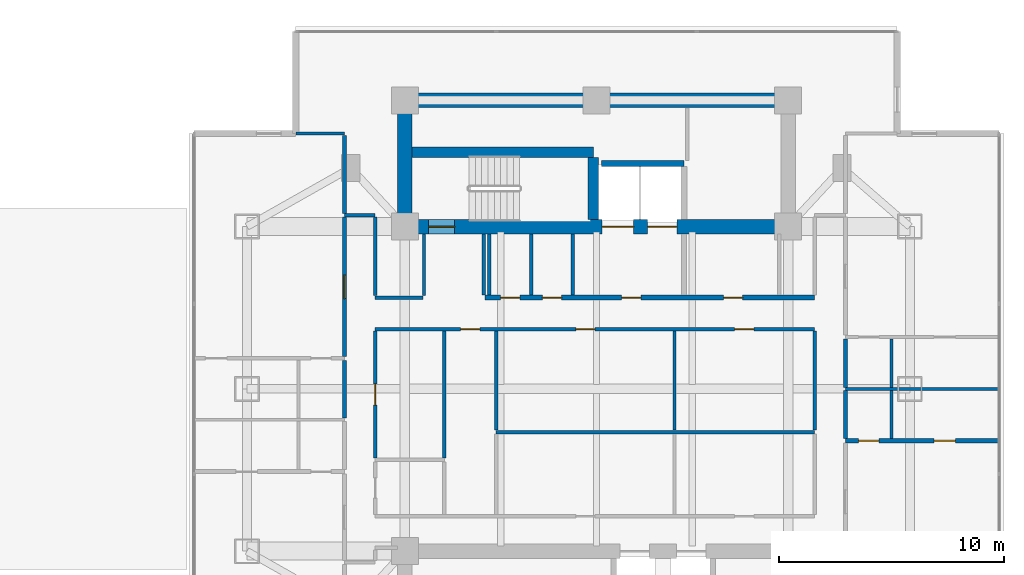
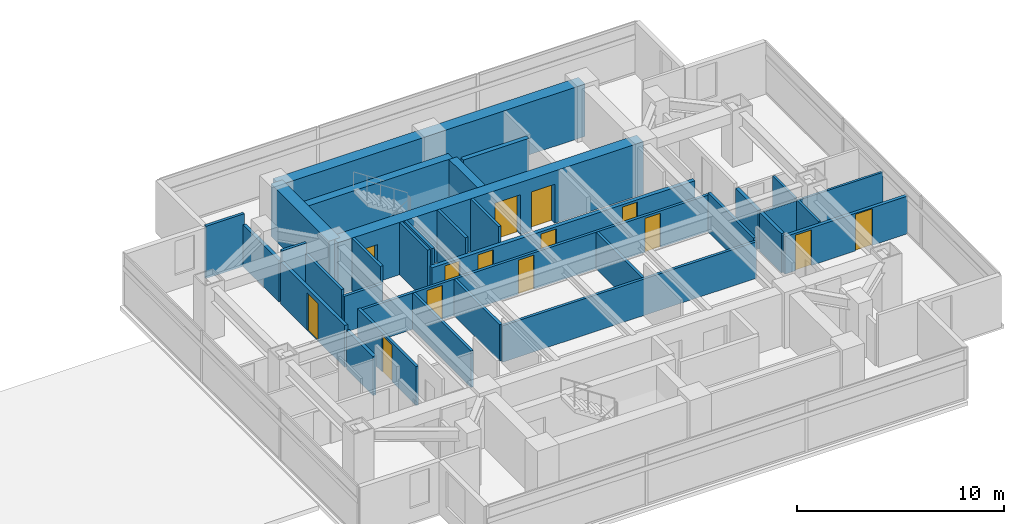
# One storey, part 18 of 26: 32 walls, 14 doors, 14 openings.
"""IFC4 building model written with IfcOpenShell, lengths in metres."""

from ifc_helpers import new_model, si_unit, direction, frame, frame_2d, origin, place, context, subcontext, project, spatial, rectangle, extrude, material, layer, layer_set, type_object, element, fill, save


model = new_model("IFC4")

# Units and contexts
model_context = context("Model", 3, precision=1e-05, world=origin(), true_north=direction((0.0, 1.0)))
body_context = subcontext(model_context, "Body", "Model", "MODEL_VIEW")
ifc_project = project(units=[si_unit("LENGTHUNIT", "METRE"), si_unit("AREAUNIT", "SQUARE_METRE"), si_unit("VOLUMEUNIT", "CUBIC_METRE"), si_unit("PLANEANGLEUNIT", "RADIAN"), si_unit("MASSUNIT", "GRAM", prefix="KILO")], contexts=[model_context])

# Site, building, storey
site_placement = place(None, origin())
site = spatial("IfcSite", under=ifc_project, at=site_placement, CompositionType="ELEMENT")
building_placement = place(site_placement, origin())
building = spatial("IfcBuilding", under=site, at=building_placement, Name="Mirazonda Arch Towers", CompositionType="ELEMENT")
storey_placement = place(building_placement, frame((0.0, 0.0, 98.300048828125)))
storey = spatial("IfcBuildingStorey", under=building, at=storey_placement, Name="L27", CompositionType="ELEMENT", Elevation=98.300048828125)

# Walls
ifc_material_1 = material(Name="Concrete C50/60", Category="concrete")
ifc_layer_1 = layer(ifc_material_1, 0.449951171875, Name="WALL-CORE-450")
ifc_layer_set_1 = layer_set([ifc_layer_1], Name="Concrete C50/60")
wall_type_1 = type_object("IfcWallType", Name="WALL-CORE-450", PredefinedType="SHEAR", material=ifc_layer_set_1)
wall_1_placement = place(storey_placement, frame((68.320068359375, 38.5, 0.0), z_axis=(0.0, 0.0, 1.0), x_axis=(1.0, 0.0, 0.0)))
element("IfcWall", 1, at=wall_1_placement, inside=storey, type_object=wall_type_1, Name="L27 Stair Core Shear Wall 059", PredefinedType="SHEAR", context=body_context, shape_type="SweptSolid", body=[
    extrude(rectangle(XDim=8.0400390625, YDim=0.449951171875, at=frame_2d((4.02001953125, 0.0))), origin(), (0.0, 0.0, 1.0), 3.079833984375),
])
wall_2_placement = place(storey_placement, frame((76.360107421875, 35.52001953125, 0.0), z_axis=(0.0, 0.0, 1.0), x_axis=(0.0, 1.0, 0.0)))
element("IfcWall", 2, at=wall_2_placement, inside=storey, type_object=wall_type_1, Name="L27 Stair Core Shear Wall 156", PredefinedType="SHEAR", context=body_context, shape_type="SweptSolid", body=[
    extrude(rectangle(XDim=2.744873046875, YDim=0.449951171875, at=frame_2d((1.37255859375, 0.0))), origin(), (0.0, 0.0, 1.0), 3.079833984375),
])
ifc_material_2 = material(Name="Concrete C60/75", Category="concrete")
ifc_layer_2 = layer(ifc_material_2, 0.64990234375, Name="WALL-CORE-650")
ifc_layer_set_2 = layer_set([ifc_layer_2], Name="Concrete C60/75")
wall_type_2 = type_object("IfcWallType", Name="WALL-CORE-650", PredefinedType="SHEAR", material=ifc_layer_set_2)
wall_3_placement = place(storey_placement, frame((68.0, 40.800048828125, 0.0), z_axis=(0.0, 0.0, 1.0), x_axis=(1.0, 0.0, 0.0)))
element("IfcWall", 3, at=wall_3_placement, inside=storey, type_object=wall_type_2, Name="L27 T2N-N Core Shear Wall", PredefinedType="SHEAR", context=body_context, shape_type="SweptSolid", body=[
    extrude(rectangle(XDim=17.0, YDim=0.64990234375, at=frame_2d((8.5, 0.0))), origin(), (0.0, 0.0, 1.0), 3.079833984375),
])
wall_4_placement = place(storey_placement, frame((68.0, 35.199951171875, 0.0), z_axis=(0.0, 0.0, 1.0), x_axis=(0.0, 1.0, 0.0)))
element("IfcWall", 4, at=wall_4_placement, inside=storey, type_object=wall_type_2, Name="L27 T2N-W Core Shear Wall", PredefinedType="SHEAR", context=body_context, shape_type="SweptSolid", body=[
    extrude(rectangle(XDim=5.60009765625, YDim=0.64990234375, at=frame_2d((2.800048828125, 0.0))), origin(), (0.0, 0.0, 1.0), 3.079833984375),
])

# Wall, openings, doors
wall_5_placement = place(storey_placement, frame((68.0, 35.199951171875, 0.0), z_axis=(0.0, 0.0, 1.0), x_axis=(1.0, 0.0, 0.0)))
wall_5 = element("IfcWall", 5, at=wall_5_placement, inside=storey, type_object=wall_type_2, Name="L27 T2N-S Core Shear Wall", PredefinedType="SHEAR", context=body_context, shape_type="SweptSolid", body=[
    extrude(rectangle(XDim=17.0, YDim=0.64990234375, at=frame_2d((8.5, 0.0))), origin(), (0.0, 0.0, 1.0), 3.079833984375),
])
opening_1_placement = place(wall_5_placement, frame((1.06005859375, 0.0, 0.0)))
opening_1 = element("IfcOpeningElement", 6, at=opening_1_placement, cuts=wall_5, Name="Opening DR-135", PredefinedType="OPENING", context=body_context, shape_type="SweptSolid", body=[
    extrude(rectangle(XDim=1.14990234375, YDim=2.199951171875, at=frame_2d((0.574951171875, 1.10009765625))), frame((0.0, 0.3349609375, 0.0), z_axis=(0.0, -1.0, 0.0), x_axis=(1.0, 0.0, 0.0)), (0.0, 0.0, 1.0), 0.669921875),
])
opening_2_placement = place(wall_5_placement, frame((8.75, 0.0, 0.0)))
opening_2 = element("IfcOpeningElement", 7, at=opening_2_placement, cuts=wall_5, Name="Opening LD-112", PredefinedType="OPENING", context=body_context, shape_type="SweptSolid", body=[
    extrude(rectangle(XDim=1.39990234375, YDim=2.35009765625, at=frame_2d((0.699951171875, 1.175048828125))), frame((0.0, 0.3349609375, 0.0), z_axis=(0.0, -1.0, 0.0), x_axis=(1.0, 0.0, 0.0)), (0.0, 0.0, 1.0), 0.669921875),
])
opening_3_placement = place(wall_5_placement, frame((10.77001953125, 0.0, 0.0)))
opening_3 = element("IfcOpeningElement", 8, at=opening_3_placement, cuts=wall_5, Name="Opening LD-111", PredefinedType="OPENING", context=body_context, shape_type="SweptSolid", body=[
    extrude(rectangle(XDim=1.300048828125, YDim=2.300048828125, at=frame_2d((0.64990234375, 1.14990234375))), frame((0.0, 0.3349609375, 0.0), z_axis=(0.0, -1.0, 0.0), x_axis=(1.0, 0.0, 0.0)), (0.0, 0.0, 1.0), 0.669921875),
])
ifc_material_3 = material(Name="Architectural Brushed Steel S355", Category="steel")
door_type_1 = type_object("IfcDoorType", Name="DOOR-LIFT-FFL-1400", OperationType="NOTDEFINED", PredefinedType="DOOR", material=ifc_material_3)
door_1_placement = place(opening_2_placement, origin())
door_1 = element("IfcDoor", 9, at=door_1_placement, inside=storey, type_object=door_type_1, Name="L27 Lift Landing Sliding Door FFL-T2", OperationType="DOUBLE_DOOR_SLIDING", OverallHeight=2.35009765625, OverallWidth=1.39990234375, PredefinedType="DOOR", context=body_context, shape_type="SweptSolid", body=[
    extrude(rectangle(XDim=1.39990234375, YDim=2.35009765625, at=frame_2d((0.699951171875, 1.175048828125))), frame((0.0, 0.02490234375, 0.0), z_axis=(0.0, -1.0, 0.0), x_axis=(1.0, 0.0, 0.0)), (0.0, 0.0, 1.0), 0.050048828125),
])
fill(opening_2, door_1)
door_type_2 = type_object("IfcDoorType", Name="DOOR-LIFT-LAND-1300", OperationType="NOTDEFINED", PredefinedType="DOOR", material=ifc_material_3)
door_2_placement = place(opening_3_placement, origin())
door_2 = element("IfcDoor", 10, at=door_2_placement, inside=storey, type_object=door_type_2, Name="L27 Lift Landing Sliding Door SVL-T2", OperationType="DOUBLE_DOOR_SLIDING", OverallHeight=2.300048828125, OverallWidth=1.300048828125, PredefinedType="DOOR", context=body_context, shape_type="SweptSolid", body=[
    extrude(rectangle(XDim=1.300048828125, YDim=2.300048828125, at=frame_2d((0.64990234375, 1.14990234375))), frame((0.0, 0.02490234375, 0.0), z_axis=(0.0, -1.0, 0.0), x_axis=(1.0, 0.0, 0.0)), (0.0, 0.0, 1.0), 0.050048828125),
])
fill(opening_3, door_2)
door_type_3 = type_object("IfcDoorType", Name="DOOR-STAIR-FD90-1150", OperationType="NOTDEFINED", PredefinedType="DOOR", material=ifc_material_3)
door_3_placement = place(opening_1_placement, origin())
door_3 = element("IfcDoor", 11, at=door_3_placement, inside=storey, type_object=door_type_3, Name="L27 East Protected Stair North Door", OperationType="SINGLE_SWING_RIGHT", OverallHeight=2.199951171875, OverallWidth=1.14990234375, PredefinedType="DOOR", context=body_context, shape_type="SweptSolid", body=[
    extrude(rectangle(XDim=1.14990234375, YDim=2.199951171875, at=frame_2d((0.574951171875, 1.10009765625))), frame((0.0, 0.02490234375, 0.0), z_axis=(0.0, -1.0, 0.0), x_axis=(1.0, 0.0, 0.0)), (0.0, 0.0, 1.0), 0.050048828125),
])
fill(opening_1, door_3)

ifc_material_4 = material(Name="Concrete C40/50", Category="concrete")
ifc_layer_3 = layer(ifc_material_4, 0.219970703125, Name="WALL-FFL-220")
ifc_layer_set_3 = layer_set([ifc_layer_3], Name="Concrete C40/50")
wall_type_3 = type_object("IfcWallType", Name="WALL-FFL-220", PredefinedType="SOLIDWALL", material=ifc_layer_set_3)
wall_6_placement = place(storey_placement, frame((71.550048828125, 32.050048828125, 0.0), z_axis=(0.0, 0.0, 1.0), x_axis=(1.0, 0.0, 0.0)))
wall_6 = element("IfcWall", 12, at=wall_6_placement, inside=storey, type_object=wall_type_3, Name="L27 Interior Partition 047", PredefinedType="SOLIDWALL", context=body_context, shape_type="SweptSolid", body=[
    extrude(rectangle(XDim=14.6298828125, YDim=0.219970703125, at=frame_2d((7.31494140625, 0.0))), origin(), (0.0, 0.0, 1.0), 2.14501953125),
])
opening_4_placement = place(wall_6_placement, frame((6.06494140625, 0.0, 0.0)))
opening_4 = element("IfcOpeningElement", 13, at=opening_4_placement, cuts=wall_6, Name="Opening DR-128", PredefinedType="OPENING", context=body_context, shape_type="SweptSolid", body=[
    extrude(rectangle(XDim=0.85009765625, YDim=2.010009765625, at=frame_2d((0.425048828125, 1.0048828125))), frame((0.0, 0.119873046875, 0.0), z_axis=(0.0, -1.0, 0.0), x_axis=(1.0, 0.0, 0.0)), (0.0, 0.0, 1.0), 0.239990234375),
])
opening_5_placement = place(wall_6_placement, frame((10.5849609375, 0.0, 0.0)))
opening_5 = element("IfcOpeningElement", 14, at=opening_5_placement, cuts=wall_6, Name="Opening DR-128", PredefinedType="OPENING", context=body_context, shape_type="SweptSolid", body=[
    extrude(rectangle(XDim=0.85009765625, YDim=2.010009765625, at=frame_2d((0.425048828125, 1.0048828125))), frame((0.0, 0.119873046875, 0.0), z_axis=(0.0, -1.0, 0.0), x_axis=(1.0, 0.0, 0.0)), (0.0, 0.0, 1.0), 0.239990234375),
])
opening_6_placement = place(wall_6_placement, frame((0.699951171875, 0.0, 0.0)))
opening_6 = element("IfcOpeningElement", 15, at=opening_6_placement, cuts=wall_6, Name="Opening DR-128", PredefinedType="OPENING", context=body_context, shape_type="SweptSolid", body=[
    extrude(rectangle(XDim=0.85009765625, YDim=2.010009765625, at=frame_2d((0.425048828125, 1.0048828125))), frame((0.0, 0.119873046875, 0.0), z_axis=(0.0, -1.0, 0.0), x_axis=(1.0, 0.0, 0.0)), (0.0, 0.0, 1.0), 0.239990234375),
])
opening_7_placement = place(wall_6_placement, frame((2.550048828125, 0.0, 0.0)))
opening_7 = element("IfcOpeningElement", 16, at=opening_7_placement, cuts=wall_6, Name="Opening DR-128", PredefinedType="OPENING", context=body_context, shape_type="SweptSolid", body=[
    extrude(rectangle(XDim=0.85009765625, YDim=2.010009765625, at=frame_2d((0.425048828125, 1.0048828125))), frame((0.0, 0.119873046875, 0.0), z_axis=(0.0, -1.0, 0.0), x_axis=(1.0, 0.0, 0.0)), (0.0, 0.0, 1.0), 0.239990234375),
])
door_type_4 = type_object("IfcDoorType", Name="DOOR-RISER-FD60-850", OperationType="NOTDEFINED", PredefinedType="DOOR", material=ifc_material_3)
door_4_placement = place(opening_4_placement, origin())
door_4 = element("IfcDoor", 17, at=door_4_placement, inside=storey, type_object=door_type_4, Name="L27 East Firefighting Lift Lobby Door", OperationType="SINGLE_SWING_LEFT", OverallHeight=2.010009765625, OverallWidth=0.85009765625, PredefinedType="DOOR", context=body_context, shape_type="SweptSolid", body=[
    extrude(rectangle(XDim=0.85009765625, YDim=2.010009765625, at=frame_2d((0.425048828125, 1.0048828125))), frame((0.0, 0.02490234375, 0.0), z_axis=(0.0, -1.0, 0.0), x_axis=(1.0, 0.0, 0.0)), (0.0, 0.0, 1.0), 0.050048828125),
])
fill(opening_4, door_4)
door_5_placement = place(opening_5_placement, origin())
door_5 = element("IfcDoor", 18, at=door_5_placement, inside=storey, type_object=door_type_4, Name="L27 East Sky Reading Library Door", OperationType="SINGLE_SWING_RIGHT", OverallHeight=2.010009765625, OverallWidth=0.85009765625, PredefinedType="DOOR", context=body_context, shape_type="SweptSolid", body=[
    extrude(rectangle(XDim=0.85009765625, YDim=2.010009765625, at=frame_2d((0.425048828125, 1.0048828125))), frame((0.0, 0.02490234375, 0.0), z_axis=(0.0, -1.0, 0.0), x_axis=(1.0, 0.0, 0.0)), (0.0, 0.0, 1.0), 0.050048828125),
])
fill(opening_5, door_5)
door_6_placement = place(opening_6_placement, origin())
door_6 = element("IfcDoor", 19, at=door_6_placement, inside=storey, type_object=door_type_4, Name="L27 Tower 2 Electrical Room Door", OperationType="SINGLE_SWING_LEFT", OverallHeight=2.010009765625, OverallWidth=0.85009765625, PredefinedType="DOOR", context=body_context, shape_type="SweptSolid", body=[
    extrude(rectangle(XDim=0.85009765625, YDim=2.010009765625, at=frame_2d((0.425048828125, 1.0048828125))), frame((0.0, 0.02490234375, 0.0), z_axis=(0.0, -1.0, 0.0), x_axis=(1.0, 0.0, 0.0)), (0.0, 0.0, 1.0), 0.050048828125),
])
fill(opening_6, door_6)
door_7_placement = place(opening_7_placement, origin())
door_7 = element("IfcDoor", 20, at=door_7_placement, inside=storey, type_object=door_type_4, Name="L27 Tower 2 Cleaners Store Door", OperationType="SINGLE_SWING_RIGHT", OverallHeight=2.010009765625, OverallWidth=0.85009765625, PredefinedType="DOOR", context=body_context, shape_type="SweptSolid", body=[
    extrude(rectangle(XDim=0.85009765625, YDim=2.010009765625, at=frame_2d((0.425048828125, 1.0048828125))), frame((0.0, 0.02490234375, 0.0), z_axis=(0.0, -1.0, 0.0), x_axis=(1.0, 0.0, 0.0)), (0.0, 0.0, 1.0), 0.050048828125),
])
fill(opening_7, door_7)

# Wall
ifc_material_5 = material(Name="Fire-Rated Gypsum Stud Partition")
ifc_layer_4 = layer(ifc_material_5, 0.14990234375, Name="WALL-PART-CORR-150")
ifc_layer_set_4 = layer_set([ifc_layer_4], Name="Fire-Rated Gypsum Stud Partition")
wall_type_4 = type_object("IfcWallType", Name="WALL-PART-CORR-150", PredefinedType="PARTITIONING", material=ifc_layer_set_4)
wall_7_placement = place(storey_placement, frame((72.050048828125, 26.0849609375, 0.0), z_axis=(0.0, 0.0, 1.0), x_axis=(1.0, 0.0, 0.0)))
element("IfcWall", 21, at=wall_7_placement, inside=storey, type_object=wall_type_4, Name="L27 Interior Partition 034", PredefinedType="PARTITIONING", context=body_context, shape_type="SweptSolid", body=[
    extrude(rectangle(XDim=14.1298828125, YDim=0.14990234375, at=frame_2d((7.06494140625, 0.0))), origin(), (0.0, 0.0, 1.0), 2.14501953125),
])

# Wall, openings, doors
wall_8_placement = place(storey_placement, frame((66.679931640625, 30.64990234375, 0.0), z_axis=(0.0, 0.0, 1.0), x_axis=(1.0, 0.0, 0.0)))
wall_8 = element("IfcWall", 22, at=wall_8_placement, inside=storey, type_object=wall_type_4, Name="L27 Interior Partition 045", PredefinedType="PARTITIONING", context=body_context, shape_type="SweptSolid", body=[
    extrude(rectangle(XDim=19.5, YDim=0.14990234375, at=frame_2d((9.75, 0.0))), origin(), (0.0, 0.0, 1.0), 2.14501953125),
])
opening_8_placement = place(wall_8_placement, frame((3.794921875, 0.0, 0.0)))
opening_8 = element("IfcOpeningElement", 23, at=opening_8_placement, cuts=wall_8, Name="Opening DR-128", PredefinedType="OPENING", context=body_context, shape_type="SweptSolid", body=[
    extrude(rectangle(XDim=0.85009765625, YDim=2.010009765625, at=frame_2d((0.425048828125, 1.0048828125))), frame((0.0, 0.0849609375, 0.0), z_axis=(0.0, -1.0, 0.0), x_axis=(1.0, 0.0, 0.0)), (0.0, 0.0, 1.0), 0.169921875),
])
opening_9_placement = place(wall_8_placement, frame((8.901611328125, 0.0, 0.0)))
opening_9 = element("IfcOpeningElement", 24, at=opening_9_placement, cuts=wall_8, Name="Opening DR-128", PredefinedType="OPENING", context=body_context, shape_type="SweptSolid", body=[
    extrude(rectangle(XDim=0.85009765625, YDim=2.010009765625, at=frame_2d((0.425048828125, 1.0048828125))), frame((0.0, 0.0849609375, 0.0), z_axis=(0.0, -1.0, 0.0), x_axis=(1.0, 0.0, 0.0)), (0.0, 0.0, 1.0), 0.169921875),
])
opening_10_placement = place(wall_8_placement, frame((15.946533203125, 0.0, 0.0)))
opening_10 = element("IfcOpeningElement", 25, at=opening_10_placement, cuts=wall_8, Name="Opening DR-128", PredefinedType="OPENING", context=body_context, shape_type="SweptSolid", body=[
    extrude(rectangle(XDim=0.85009765625, YDim=2.010009765625, at=frame_2d((0.425048828125, 1.0048828125))), frame((0.0, 0.0849609375, 0.0), z_axis=(0.0, -1.0, 0.0), x_axis=(1.0, 0.0, 0.0)), (0.0, 0.0, 1.0), 0.169921875),
])
door_8_placement = place(opening_8_placement, origin())
door_8 = element("IfcDoor", 26, at=door_8_placement, inside=storey, type_object=door_type_4, Name="L27 L27 East Courtyard Study Door", OperationType="SINGLE_SWING_RIGHT", OverallHeight=2.010009765625, OverallWidth=0.85009765625, PredefinedType="DOOR", context=body_context, shape_type="SweptSolid", body=[
    extrude(rectangle(XDim=0.85009765625, YDim=2.010009765625, at=frame_2d((0.425048828125, 1.0048828125))), frame((0.0, 0.02490234375, 0.0), z_axis=(0.0, -1.0, 0.0), x_axis=(1.0, 0.0, 0.0)), (0.0, 0.0, 1.0), 0.050048828125),
])
fill(opening_8, door_8)
door_9_placement = place(opening_9_placement, origin())
door_9 = element("IfcDoor", 27, at=door_9_placement, inside=storey, type_object=door_type_4, Name="L27 Concierge Salon Door", OperationType="SINGLE_SWING_LEFT", OverallHeight=2.010009765625, OverallWidth=0.85009765625, PredefinedType="DOOR", context=body_context, shape_type="SweptSolid", body=[
    extrude(rectangle(XDim=0.85009765625, YDim=2.010009765625, at=frame_2d((0.425048828125, 1.0048828125))), frame((0.0, 0.02490234375, 0.0), z_axis=(0.0, -1.0, 0.0), x_axis=(1.0, 0.0, 0.0)), (0.0, 0.0, 1.0), 0.050048828125),
])
fill(opening_9, door_9)
door_10_placement = place(opening_10_placement, origin())
door_10 = element("IfcDoor", 28, at=door_10_placement, inside=storey, type_object=door_type_4, Name="L27 Private Meeting Suite Door", OperationType="SINGLE_SWING_RIGHT", OverallHeight=2.010009765625, OverallWidth=0.85009765625, PredefinedType="DOOR", context=body_context, shape_type="SweptSolid", body=[
    extrude(rectangle(XDim=0.85009765625, YDim=2.010009765625, at=frame_2d((0.425048828125, 1.0048828125))), frame((0.0, 0.02490234375, 0.0), z_axis=(0.0, -1.0, 0.0), x_axis=(1.0, 0.0, 0.0)), (0.0, 0.0, 1.0), 0.050048828125),
])
fill(opening_10, door_10)

# Walls
wall_9_placement = place(storey_placement, frame((66.679931640625, 32.050048828125, 0.0), z_axis=(0.0, 0.0, 1.0), x_axis=(1.0, 0.0, 0.0)))
element("IfcWall", 29, at=wall_9_placement, inside=storey, type_object=wall_type_4, Name="L27 Interior Partition 046", PredefinedType="PARTITIONING", context=body_context, shape_type="SweptSolid", body=[
    extrude(rectangle(XDim=2.1201171875, YDim=0.14990234375, at=frame_2d((1.06005859375, 0.0))), origin(), (0.0, 0.0, 1.0), 2.14501953125),
])
wall_10_placement = place(storey_placement, frame((65.320068359375, 35.699951171875, 0.0), z_axis=(0.0, 0.0, 1.0), x_axis=(1.0, 0.0, 0.0)))
element("IfcWall", 30, at=wall_10_placement, inside=storey, type_object=wall_type_4, Name="L27 Interior Partition 055", PredefinedType="PARTITIONING", context=body_context, shape_type="SweptSolid", body=[
    extrude(rectangle(XDim=1.35986328125, YDim=0.14990234375, at=frame_2d((0.679931640625, 0.0))), origin(), (0.0, 0.0, 1.0), 3.079833984375),
])
wall_11_placement = place(storey_placement, frame((63.1796875, 39.3310546875, 0.0), z_axis=(0.0, 0.0, 1.0), x_axis=(1.0, 0.0, 0.0)))
element("IfcWall", 31, at=wall_11_placement, inside=storey, type_object=wall_type_4, Name="L27 Interior Partition 060", PredefinedType="PARTITIONING", context=body_context, shape_type="SweptSolid", body=[
    extrude(rectangle(XDim=2.140380859375, YDim=0.14990234375, at=frame_2d((1.0703125, 0.0))), origin(), (0.0, 0.0, 1.0), 3.079833984375),
])

# Wall, opening, door
wall_12_placement = place(storey_placement, frame((66.679931640625, 24.93505859375, 0.0), z_axis=(0.0, 0.0, 1.0), x_axis=(0.0, 1.0, 0.0)))
wall_12 = element("IfcWall", 32, at=wall_12_placement, inside=storey, type_object=wall_type_4, Name="L27 Interior Partition 144", PredefinedType="PARTITIONING", context=body_context, shape_type="SweptSolid", body=[
    extrude(rectangle(XDim=5.6298828125, YDim=0.14990234375, at=frame_2d((2.81494140625, 0.0))), origin(), (0.0, 0.0, 1.0), 2.299072265625),
])
opening_11_placement = place(wall_12_placement, frame((2.340087890625, 0.0, 0.0)))
opening_11 = element("IfcOpeningElement", 33, at=opening_11_placement, cuts=wall_12, Name="Opening DR-104", PredefinedType="OPENING", context=body_context, shape_type="SweptSolid", body=[
    extrude(rectangle(XDim=0.949951171875, YDim=2.14990234375, at=frame_2d((0.47509765625, 1.074951171875))), frame((0.0, 0.0849609375, 0.0), z_axis=(0.0, -1.0, 0.0), x_axis=(1.0, 0.0, 0.0)), (0.0, 0.0, 1.0), 0.169921875),
])
door_type_5 = type_object("IfcDoorType", Name="DOOR-ROOM-950", OperationType="NOTDEFINED", PredefinedType="DOOR", material=ifc_material_3)
door_11_placement = place(opening_11_placement, origin())
door_11 = element("IfcDoor", 34, at=door_11_placement, inside=storey, type_object=door_type_5, Name="L27 L27 East Courtyard Reading Study Door", OperationType="SINGLE_SWING_LEFT", OverallHeight=2.14990234375, OverallWidth=0.949951171875, PredefinedType="DOOR", context=body_context, shape_type="SweptSolid", body=[
    extrude(rectangle(XDim=0.949951171875, YDim=2.14990234375, at=frame_2d((0.47509765625, 1.074951171875))), frame((0.0, 0.02490234375, 0.0), z_axis=(0.0, -1.0, 0.0), x_axis=(1.0, 0.0, 0.0)), (0.0, 0.0, 1.0), 0.050048828125),
])
fill(opening_11, door_11)

# Walls
wall_13_placement = place(storey_placement, frame((66.679931640625, 32.135009765625, 0.0), z_axis=(0.0, 0.0, 1.0), x_axis=(0.0, 1.0, 0.0)))
element("IfcWall", 35, at=wall_13_placement, inside=storey, type_object=wall_type_4, Name="L27 Interior Partition 145", PredefinedType="PARTITIONING", context=body_context, shape_type="SweptSolid", body=[
    extrude(rectangle(XDim=3.47998046875, YDim=0.14990234375, at=frame_2d((1.739990234375, 0.0))), origin(), (0.0, 0.0, 1.0), 2.471923828125),
])
wall_14_placement = place(storey_placement, frame((68.85009765625, 32.135009765625, 0.0), z_axis=(0.0, 0.0, 1.0), x_axis=(0.0, 1.0, 0.0)))
element("IfcWall", 36, at=wall_14_placement, inside=storey, type_object=wall_type_4, Name="L27 Interior Partition 146", PredefinedType="PARTITIONING", context=body_context, shape_type="SweptSolid", body=[
    extrude(rectangle(XDim=2.744873046875, YDim=0.14990234375, at=frame_2d((1.37255859375, 0.0))), origin(), (0.0, 0.0, 1.0), 3.079833984375),
])
wall_15_placement = place(storey_placement, frame((69.743408203125, 24.93505859375, 0.0), z_axis=(0.0, 0.0, 1.0), x_axis=(0.0, 1.0, 0.0)))
element("IfcWall", 37, at=wall_15_placement, inside=storey, type_object=wall_type_4, Name="L27 Interior Partition 148", PredefinedType="PARTITIONING", context=body_context, shape_type="SweptSolid", body=[
    extrude(rectangle(XDim=5.6298828125, YDim=0.14990234375, at=frame_2d((2.81494140625, 0.0))), origin(), (0.0, 0.0, 1.0), 2.14501953125),
])
for number, where, z_axis, x_axis, name in (
    (38, (71.5, 32.169921875, 0.0), (0.0, 0.0, 1.0), (0.0, 1.0, 0.0), "L27 Interior Partition 149"),
    (39, (71.75, 32.169921875, 0.0), (0.0, 0.0, 1.0), (0.0, 1.0, 0.0), "L27 Interior Partition 150"),
):
    element("IfcWall", number, at=place(storey_placement, frame(where, z_axis=z_axis, x_axis=x_axis)), inside=storey, type_object=wall_type_4, Name=name, PredefinedType="PARTITIONING", context=body_context, shape_type="SweptSolid", body=[
        extrude(rectangle(XDim=2.7099609375, YDim=0.14990234375, at=frame_2d((1.35498046875, 0.0))), origin(), (0.0, 0.0, 1.0), 3.079833984375),
    ])
wall_16_placement = place(storey_placement, frame((72.050048828125, 26.169921875, 0.0), z_axis=(0.0, 0.0, 1.0), x_axis=(0.0, 1.0, 0.0)))
element("IfcWall", 40, at=wall_16_placement, inside=storey, type_object=wall_type_4, Name="L27 Interior Partition 152", PredefinedType="PARTITIONING", context=body_context, shape_type="SweptSolid", body=[
    extrude(rectangle(XDim=4.39501953125, YDim=0.14990234375, at=frame_2d((2.197509765625, 0.0))), origin(), (0.0, 0.0, 1.0), 2.14501953125),
])
for number, where, z_axis, x_axis, name in (
    (41, (73.60009765625, 32.169921875, 0.0), (0.0, 0.0, 1.0), (0.0, 1.0, 0.0), "L27 Interior Partition 153"),
    (42, (75.449951171875, 32.169921875, 0.0), (0.0, 0.0, 1.0), (0.0, 1.0, 0.0), "L27 Interior Partition 154"),
):
    element("IfcWall", number, at=place(storey_placement, frame(where, z_axis=z_axis, x_axis=x_axis)), inside=storey, type_object=wall_type_4, Name=name, PredefinedType="PARTITIONING", context=body_context, shape_type="SweptSolid", body=[
        extrude(rectangle(XDim=2.7099609375, YDim=0.14990234375, at=frame_2d((1.35498046875, 0.0))), origin(), (0.0, 0.0, 1.0), 3.079833984375),
    ])
wall_17_placement = place(storey_placement, frame((79.962890625, 26.169921875, 0.0), z_axis=(0.0, 0.0, 1.0), x_axis=(0.0, 1.0, 0.0)))
element("IfcWall", 43, at=wall_17_placement, inside=storey, type_object=wall_type_4, Name="L27 Interior Partition 159", PredefinedType="PARTITIONING", context=body_context, shape_type="SweptSolid", body=[
    extrude(rectangle(XDim=4.39501953125, YDim=0.14990234375, at=frame_2d((2.197509765625, 0.0))), origin(), (0.0, 0.0, 1.0), 2.14501953125),
])
wall_18_placement = place(storey_placement, frame((86.179931640625, 26.169921875, 0.0), z_axis=(0.0, 0.0, 1.0), x_axis=(0.0, 1.0, 0.0)))
element("IfcWall", 44, at=wall_18_placement, inside=storey, type_object=wall_type_4, Name="L27 Interior Partition 167", PredefinedType="PARTITIONING", context=body_context, shape_type="SweptSolid", body=[
    extrude(rectangle(XDim=4.39501953125, YDim=0.14990234375, at=frame_2d((2.197509765625, 0.0))), origin(), (0.0, 0.0, 1.0), 2.299072265625),
])

# Wall, openings, doors
ifc_material_6 = material(Name="Fire-Rated Gypsum Twin-Stud Assembly")
ifc_layer_5 = layer(ifc_material_6, 0.179931640625, Name="WALL-PART-DEMISE-180")
ifc_layer_set_5 = layer_set([ifc_layer_5], Name="Fire-Rated Gypsum Twin-Stud Assembly")
wall_type_5 = type_object("IfcWallType", Name="WALL-PART-DEMISE-180", PredefinedType="PARTITIONING", material=ifc_layer_set_5)
wall_19_placement = place(storey_placement, frame((87.5400390625, 25.699951171875, 0.0), z_axis=(0.0, 0.0, 1.0), x_axis=(1.0, 0.0, 0.0)))
wall_19 = element("IfcWall", 45, at=wall_19_placement, inside=storey, type_object=wall_type_5, Name="L27 Interior Partition 033", PredefinedType="PARTITIONING", context=body_context, shape_type="SweptSolid", body=[
    extrude(rectangle(XDim=6.81591796875, YDim=0.179931640625, at=frame_2d((3.407958984375, 0.0))), origin(), (0.0, 0.0, 1.0), 2.216064453125),
])
opening_12_placement = place(wall_19_placement, frame((3.93310546875, 0.0, 0.0)))
opening_12 = element("IfcOpeningElement", 46, at=opening_12_placement, cuts=wall_19, Name="Opening DR-104", PredefinedType="OPENING", context=body_context, shape_type="SweptSolid", body=[
    extrude(rectangle(XDim=0.949951171875, YDim=2.14990234375, at=frame_2d((0.47509765625, 1.074951171875))), frame((0.0, 0.099853515625, 0.0), z_axis=(0.0, -1.0, 0.0), x_axis=(1.0, 0.0, 0.0)), (0.0, 0.0, 1.0), 0.199951171875),
])
opening_13_placement = place(wall_19_placement, frame((0.590087890625, 0.0, 0.0)))
opening_13 = element("IfcOpeningElement", 47, at=opening_13_placement, cuts=wall_19, Name="Opening DR-120", PredefinedType="OPENING", context=body_context, shape_type="SweptSolid", body=[
    extrude(rectangle(XDim=0.89990234375, YDim=2.10009765625, at=frame_2d((0.449951171875, 1.050048828125))), frame((0.0, 0.099853515625, 0.0), z_axis=(0.0, -1.0, 0.0), x_axis=(1.0, 0.0, 0.0)), (0.0, 0.0, 1.0), 0.199951171875),
])
door_12_placement = place(opening_12_placement, origin())
door_12 = element("IfcDoor", 48, at=door_12_placement, inside=storey, type_object=door_type_5, Name="L27 Guestroom Study 1 Door", OperationType="SINGLE_SWING_RIGHT", OverallHeight=2.14990234375, OverallWidth=0.949951171875, PredefinedType="DOOR", context=body_context, shape_type="SweptSolid", body=[
    extrude(rectangle(XDim=0.949951171875, YDim=2.14990234375, at=frame_2d((0.47509765625, 1.074951171875))), frame((0.0, 0.02490234375, 0.0), z_axis=(0.0, -1.0, 0.0), x_axis=(1.0, 0.0, 0.0)), (0.0, 0.0, 1.0), 0.050048828125),
])
fill(opening_12, door_12)
door_type_6 = type_object("IfcDoorType", Name="DOOR-WC-900", OperationType="NOTDEFINED", PredefinedType="DOOR", material=ifc_material_3)
door_13_placement = place(opening_13_placement, origin())
door_13 = element("IfcDoor", 49, at=door_13_placement, inside=storey, type_object=door_type_6, Name="L27 En-Suite Bathroom 1 Door", OperationType="SINGLE_SWING_LEFT", OverallHeight=2.10009765625, OverallWidth=0.89990234375, PredefinedType="DOOR", context=body_context, shape_type="SweptSolid", body=[
    extrude(rectangle(XDim=0.89990234375, YDim=2.10009765625, at=frame_2d((0.449951171875, 1.050048828125))), frame((0.0, 0.02490234375, 0.0), z_axis=(0.0, -1.0, 0.0), x_axis=(1.0, 0.0, 0.0)), (0.0, 0.0, 1.0), 0.050048828125),
])
fill(opening_13, door_13)

# Wall
wall_20_placement = place(storey_placement, frame((65.320068359375, 26.70458984375, 0.0), z_axis=(0.0, 0.0, 1.0), x_axis=(0.0, 1.0, 0.0)))
element("IfcWall", 50, at=wall_20_placement, inside=storey, type_object=wall_type_5, Name="L27 Interior Partition 139", PredefinedType="PARTITIONING", context=body_context, shape_type="SweptSolid", body=[
    extrude(rectangle(XDim=2.5625, YDim=0.179931640625, at=frame_2d((1.28125, 0.0))), origin(), (0.0, 0.0, 1.0), 2.299072265625),
])

# Wall, opening, door
wall_21_placement = place(storey_placement, frame((65.320068359375, 29.43701171875, 0.0), z_axis=(0.0, 0.0, 1.0), x_axis=(0.0, 1.0, 0.0)))
wall_21 = element("IfcWall", 51, at=wall_21_placement, inside=storey, type_object=wall_type_5, Name="L27 Interior Partition 140", PredefinedType="PARTITIONING", context=body_context, shape_type="SweptSolid", body=[
    extrude(rectangle(XDim=6.177978515625, YDim=0.179931640625, at=frame_2d((3.0888671875, 0.0))), origin(), (0.0, 0.0, 1.0), 2.471923828125),
])
opening_14_placement = place(wall_21_placement, frame((2.56396484375, 0.0, 0.0)))
opening_14 = element("IfcOpeningElement", 52, at=opening_14_placement, cuts=wall_21, Name="Opening DR-121", PredefinedType="OPENING", context=body_context, shape_type="SweptSolid", body=[
    extrude(rectangle(XDim=1.050048828125, YDim=2.199951171875, at=frame_2d((0.52490234375, 1.10009765625))), frame((0.0, 0.099853515625, 0.0), z_axis=(0.0, -1.0, 0.0), x_axis=(1.0, 0.0, 0.0)), (0.0, 0.0, 1.0), 0.199951171875),
])
door_type_7 = type_object("IfcDoorType", Name="DOOR-SUITE-FD60-1050", OperationType="NOTDEFINED", PredefinedType="DOOR", material=ifc_material_3)
door_14_placement = place(opening_14_placement, origin())
door_14 = element("IfcDoor", 53, at=door_14_placement, inside=storey, type_object=door_type_7, Name="L27 Deluxe Suite Living Room 2 Door", OperationType="SINGLE_SWING_RIGHT", OverallHeight=2.199951171875, OverallWidth=1.050048828125, PredefinedType="DOOR", context=body_context, shape_type="SweptSolid", body=[
    extrude(rectangle(XDim=1.050048828125, YDim=2.199951171875, at=frame_2d((0.52490234375, 1.10009765625))), frame((0.0, 0.02490234375, 0.0), z_axis=(0.0, -1.0, 0.0), x_axis=(1.0, 0.0, 0.0)), (0.0, 0.0, 1.0), 0.050048828125),
])
fill(opening_14, door_14)

# Walls
wall_22_placement = place(storey_placement, frame((65.320068359375, 35.784912109375, 0.0), z_axis=(0.0, 0.0, 1.0), x_axis=(0.0, 1.0, 0.0)))
element("IfcWall", 54, at=wall_22_placement, inside=storey, type_object=wall_type_5, Name="L27 Interior Partition 141", PredefinedType="PARTITIONING", context=body_context, shape_type="SweptSolid", body=[
    extrude(rectangle(XDim=3.461181640625, YDim=0.179931640625, at=frame_2d((1.73046875, 0.0))), origin(), (0.0, 0.0, 1.0), 2.4560546875),
])
wall_23_placement = place(storey_placement, frame((87.5400390625, 25.800048828125, 0.0), z_axis=(0.0, 0.0, 1.0), x_axis=(0.0, 1.0, 0.0)))
element("IfcWall", 55, at=wall_23_placement, inside=storey, type_object=wall_type_5, Name="L27 Interior Partition 171", PredefinedType="PARTITIONING", context=body_context, shape_type="SweptSolid", body=[
    extrude(rectangle(XDim=2.12744140625, YDim=0.179931640625, at=frame_2d((1.063720703125, 0.0))), origin(), (0.0, 0.0, 1.0), 2.299072265625),
])
wall_24_placement = place(storey_placement, frame((87.5400390625, 28.072509765625, 0.0), z_axis=(0.0, 0.0, 1.0), x_axis=(0.0, 1.0, 0.0)))
element("IfcWall", 56, at=wall_24_placement, inside=storey, type_object=wall_type_5, Name="L27 Interior Partition 172", PredefinedType="PARTITIONING", context=body_context, shape_type="SweptSolid", body=[
    extrude(rectangle(XDim=2.142578125, YDim=0.179931640625, at=frame_2d((1.0712890625, 0.0))), origin(), (0.0, 0.0, 1.0), 2.299072265625),
])
ifc_material_7 = material(Name="Acoustic Fire-Rated Gypsum Partition")
ifc_layer_6 = layer(ifc_material_7, 0.125, Name="WALL-PART-UNIT-125")
ifc_layer_set_6 = layer_set([ifc_layer_6], Name="Acoustic Fire-Rated Gypsum Partition")
wall_type_6 = type_object("IfcWallType", Name="WALL-PART-UNIT-125", PredefinedType="PARTITIONING", material=ifc_layer_set_6)
wall_25_placement = place(storey_placement, frame((87.5400390625, 28.0, 0.0), z_axis=(0.0, 0.0, 1.0), x_axis=(1.0, 0.0, 0.0)))
element("IfcWall", 57, at=wall_25_placement, inside=storey, type_object=wall_type_6, Name="L27 Interior Partition 040", PredefinedType="PARTITIONING", context=body_context, shape_type="SweptSolid", body=[
    extrude(rectangle(XDim=6.81591796875, YDim=0.125, at=frame_2d((3.407958984375, 0.0))), origin(), (0.0, 0.0, 1.0), 2.216064453125),
])
wall_26_placement = place(storey_placement, frame((89.580078125, 25.800048828125, 0.0), z_axis=(0.0, 0.0, 1.0), x_axis=(0.0, 1.0, 0.0)))
element("IfcWall", 58, at=wall_26_placement, inside=storey, type_object=wall_type_6, Name="L27 Interior Partition 175", PredefinedType="PARTITIONING", context=body_context, shape_type="SweptSolid", body=[
    extrude(rectangle(XDim=2.12744140625, YDim=0.125, at=frame_2d((1.063720703125, 0.0))), origin(), (0.0, 0.0, 1.0), 2.299072265625),
])
wall_27_placement = place(storey_placement, frame((89.580078125, 28.072509765625, 0.0), z_axis=(0.0, 0.0, 1.0), x_axis=(0.0, 1.0, 0.0)))
element("IfcWall", 59, at=wall_27_placement, inside=storey, type_object=wall_type_6, Name="L27 Interior Partition 176", PredefinedType="PARTITIONING", context=body_context, shape_type="SweptSolid", body=[
    extrude(rectangle(XDim=2.142578125, YDim=0.125, at=frame_2d((1.0712890625, 0.0))), origin(), (0.0, 0.0, 1.0), 2.299072265625),
])
ifc_layer_7 = layer(ifc_material_4, 0.25, Name="WALL-SHAFT-250")
ifc_layer_set_7 = layer_set([ifc_layer_7], Name="Concrete C40/50")
wall_type_7 = type_object("IfcWallType", Name="WALL-SHAFT-250", PredefinedType="SOLIDWALL", material=ifc_layer_set_7)
wall_28_placement = place(storey_placement, frame((76.719970703125, 38.0, 0.0), z_axis=(0.0, 0.0, 1.0), x_axis=(1.0, 0.0, 0.0)))
element("IfcWall", 60, at=wall_28_placement, inside=storey, type_object=wall_type_7, Name="L27 Interior Partition 058", PredefinedType="SOLIDWALL", context=body_context, shape_type="SweptSolid", body=[
    extrude(rectangle(XDim=3.659912109375, YDim=0.25, at=frame_2d((1.830078125, 0.0))), origin(), (0.0, 0.0, 1.0), 3.079833984375),
])

save(model, "model.ifc")
